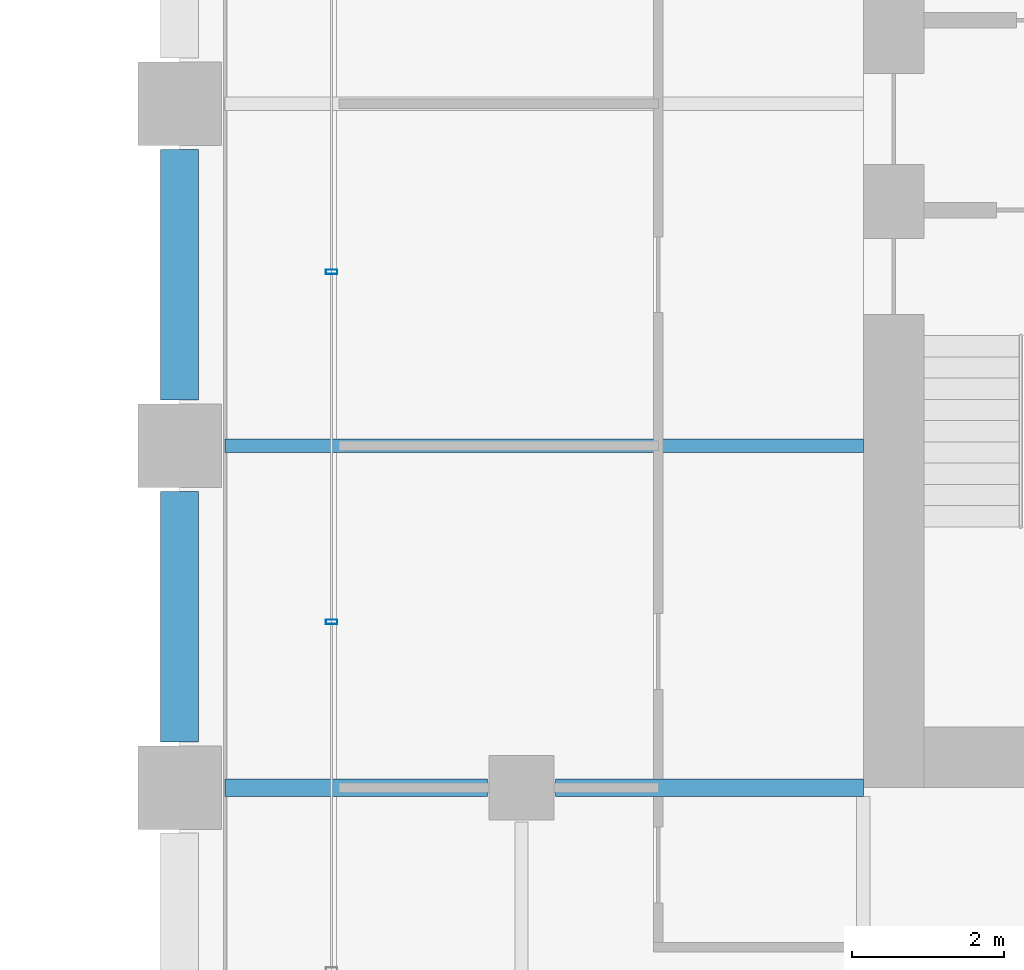
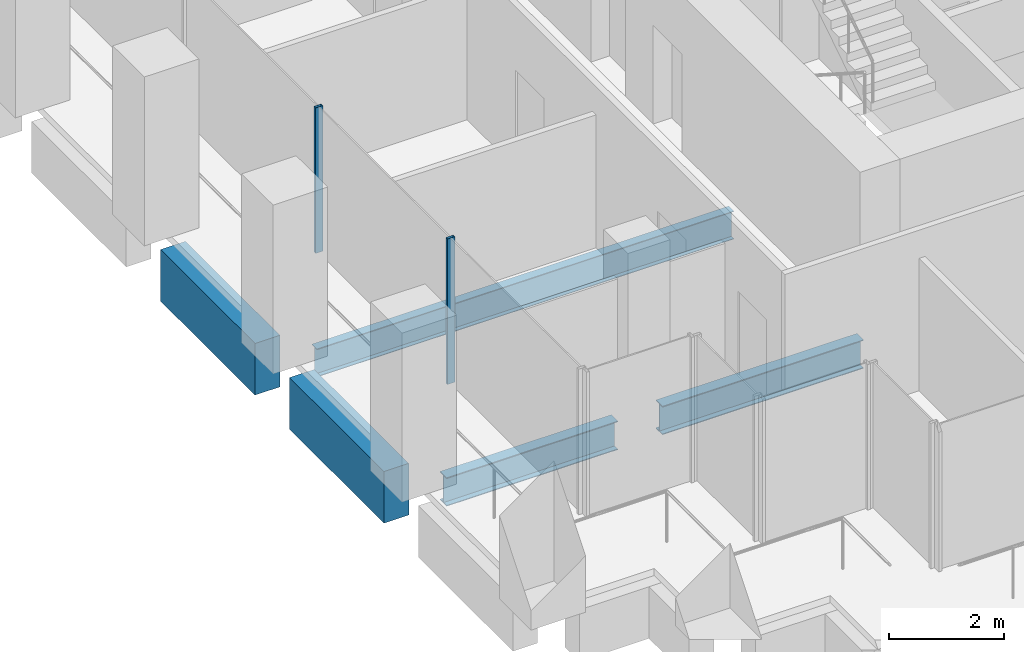
# One storey, part 35 of 55: 5 beams, 2 members, 1 element without a shape of its own.
"""IFC4 building model written with IfcOpenShell, lengths in metres."""

from ifc_helpers import new_model, si_unit, direction, frame, origin, origin_2d, place, context, subcontext, project, spatial, rectangle, hollow_rectangle, i_section, extrude, material, material_profile, profile_set, type_object, element, aggregate, save


model = new_model("IFC4")

# Units and contexts
model_context = context("Model", 3, precision=1e-05, world=origin(), true_north=direction((0.0, 1.0)))
body_context = subcontext(model_context, "Body", "Model", "MODEL_VIEW")
ifc_project = project(units=[si_unit("LENGTHUNIT", "METRE"), si_unit("AREAUNIT", "SQUARE_METRE"), si_unit("VOLUMEUNIT", "CUBIC_METRE"), si_unit("PLANEANGLEUNIT", "RADIAN"), si_unit("MASSUNIT", "GRAM", prefix="KILO")], contexts=[model_context])

# Site, building, storey
site_placement = place(None, origin())
site = spatial("IfcSite", under=ifc_project, at=site_placement, CompositionType="ELEMENT")
building_placement = place(site_placement, origin())
building = spatial("IfcBuilding", under=site, at=building_placement, Name="Altepetl Exchange Towers", CompositionType="ELEMENT")
storey_placement = place(building_placement, frame((0.0, 0.0, 47.39990234375)))
storey = spatial("IfcBuildingStorey", under=building, at=storey_placement, Name="L10", CompositionType="ELEMENT", Elevation=47.39990234375)

# Beams
ifc_material_1 = material(Name="Steel S355", Category="steel")
ifc_material_profile_1 = material_profile(ifc_material_1, i_section(OverallWidth=0.177978515625, OverallDepth=0.59912109375, WebThickness=0.010009765625, FlangeThickness=0.0126953125, at=origin_2d()), Name="W24X55")
ifc_profile_set_1 = profile_set([ifc_material_profile_1], Name="Steel S355")
beam_type_1 = type_object("IfcBeamType", Name="Floor beam W24X55", PredefinedType="BEAM", material=ifc_profile_set_1)
beam_1_placement = place(storey_placement, frame((95.10009765625, 40.5, -0.449462890625), z_axis=(1.0, 0.0, 0.0), x_axis=(0.0, 1.0, 0.0)))
element("IfcBeam", 1, at=beam_1_placement, inside=storey, type_object=beam_type_1, Name="bm:B:L10:012", PredefinedType="BEAM", context=body_context, shape_type="SweptSolid", body=[
    extrude(i_section(OverallWidth=0.177978515625, OverallDepth=0.59912109375, WebThickness=0.010009765625, FlangeThickness=0.0126953125, at=origin_2d()), origin(), (0.0, 0.0, 1.0), 8.39990234375),
])
ifc_material_profile_2 = material_profile(ifc_material_1, i_section(OverallWidth=0.22802734375, OverallDepth=0.60791015625, WebThickness=0.01123046875, FlangeThickness=0.017333984375, at=origin_2d()), Name="W24X76")
ifc_profile_set_2 = profile_set([ifc_material_profile_2], Name="Steel S355")
beam_type_2 = type_object("IfcBeamType", Name="Girder W24X76", PredefinedType="BEAM", material=ifc_profile_set_2)
beam_2_placement = place(storey_placement, frame((103.5, 36.0, -0.453857421875), z_axis=(-1.0, 0.0, 0.0), x_axis=(0.0, -1.0, 0.0)))
element("IfcBeam", 2, at=beam_2_placement, inside=storey, type_object=beam_type_2, Name="gd:B:L10:006", PredefinedType="BEAM", context=body_context, shape_type="SweptSolid", body=[
    extrude(i_section(OverallWidth=0.22802734375, OverallDepth=0.60791015625, WebThickness=0.01123046875, FlangeThickness=0.017333984375, at=origin_2d()), origin(), (0.0, 0.0, 1.0), 4.050048828125),
])
beam_3_placement = place(storey_placement, frame((98.550048828125, 36.0, -0.453857421875), z_axis=(-1.0, 0.0, 0.0), x_axis=(0.0, -1.0, 0.0)))
element("IfcBeam", 3, at=beam_3_placement, inside=storey, type_object=beam_type_2, Name="gd:B:L10:007", PredefinedType="BEAM", context=body_context, shape_type="SweptSolid", body=[
    extrude(i_section(OverallWidth=0.22802734375, OverallDepth=0.60791015625, WebThickness=0.01123046875, FlangeThickness=0.017333984375, at=origin_2d()), origin(), (0.0, 0.0, 1.0), 3.449951171875),
])

# Curtain wall, members
ifc_material_2 = material(Name="Aluminium 6063-T6 glazing", Category="aluminium")
curtain_wall_type = type_object("IfcCurtainWallType", Name="Loggia glazing system", PredefinedType="NOTDEFINED", material=ifc_material_2)
curtain_wall_placement = place(storey_placement, origin())
curtain_wall = element("IfcCurtainWall", 4, at=curtain_wall_placement, inside=storey, type_object=curtain_wall_type, Name="CW1 run", PredefinedType="NOTDEFINED")
ifc_material_3 = material(Name="Aluminium 6063-T6", Category="aluminium")
ifc_material_profile_3 = material_profile(ifc_material_3, hollow_rectangle(XDim=0.06005859375, YDim=0.14990234375, WallThickness=0.0029296875, at=origin_2d()), Name="Mullion 60x150 aluminium")
ifc_profile_set_3 = profile_set([ifc_material_profile_3], Name="Aluminium 6063-T6")
member_type = type_object("IfcMemberType", Name="Mullion 60x150 aluminium", PredefinedType="MULLION", material=ifc_profile_set_3)
member_1_placement = place(storey_placement, frame((96.5, 42.78759765625, 0.0), z_axis=(0.0, 0.0, 1.0), x_axis=(0.0, -1.0, 0.0)))
member_1 = element("IfcMember", 5, at=member_1_placement, type_object=member_type, Name="MU1 mullion", PredefinedType="MULLION", context=body_context, shape_type="SweptSolid", body=[
    extrude(hollow_rectangle(XDim=0.06005859375, YDim=0.14990234375, WallThickness=0.0029296875, at=origin_2d()), origin(), (0.0, 0.0, 1.0), 3.10009765625),
])
member_2_placement = place(storey_placement, frame((96.5, 38.18115234375, 0.0), z_axis=(0.0, 0.0, 1.0), x_axis=(0.0, -1.0, 0.0)))
member_2 = element("IfcMember", 6, at=member_2_placement, type_object=member_type, Name="MU1 mullion", PredefinedType="MULLION", context=body_context, shape_type="SweptSolid", body=[
    extrude(hollow_rectangle(XDim=0.06005859375, YDim=0.14990234375, WallThickness=0.0029296875, at=origin_2d()), origin(), (0.0, 0.0, 1.0), 3.10009765625),
])
aggregate(curtain_wall, [member_1, member_2])

# Beams
ifc_material_4 = material(Name="Concrete C50/60 precast with cantera rosa facing", Category="concrete")
ifc_material_profile_4 = material_profile(ifc_material_4, rectangle(XDim=0.5, YDim=1.10009765625, at=origin_2d()), Name="500 x 1100")
ifc_profile_set_4 = profile_set([ifc_material_profile_4], Name="Concrete C50/60 precast with cantera rosa facing")
beam_type_3 = type_object("IfcBeamType", Name="Spandrel beam 500x1100 cantera rosa", PredefinedType="SPANDREL", material=ifc_profile_set_4)
for number, where, z_axis, x_axis, name in (
    (7, (94.5, 44.39990234375, -0.699951171875), (0.0, -1.0, 0.0), (1.0, 0.0, 0.0), "sp:B:L10:029"),
    (8, (94.5, 39.89990234375, -0.699951171875), (0.0, -1.0, 0.0), (1.0, 0.0, 0.0), "sp:B:L10:030"),
):
    element("IfcBeam", number, at=place(storey_placement, frame(where, z_axis=z_axis, x_axis=x_axis)), inside=storey, type_object=beam_type_3, Name=name, PredefinedType="SPANDREL", context=body_context, shape_type="SweptSolid", body=[
        extrude(rectangle(XDim=0.5, YDim=1.10009765625, at=origin_2d()), origin(), (0.0, 0.0, 1.0), 3.2998046875),
    ])

save(model, "model.ifc")
